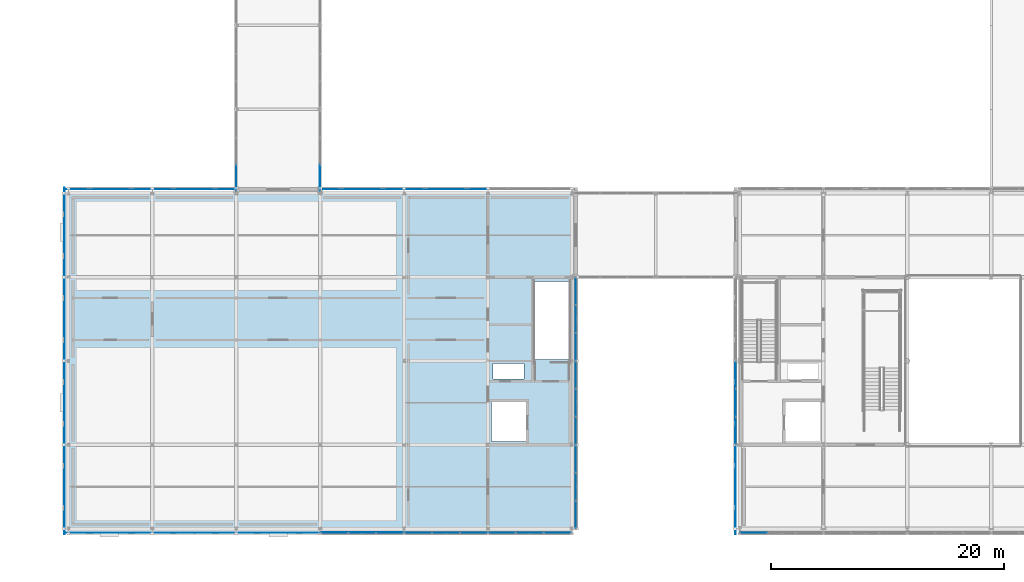
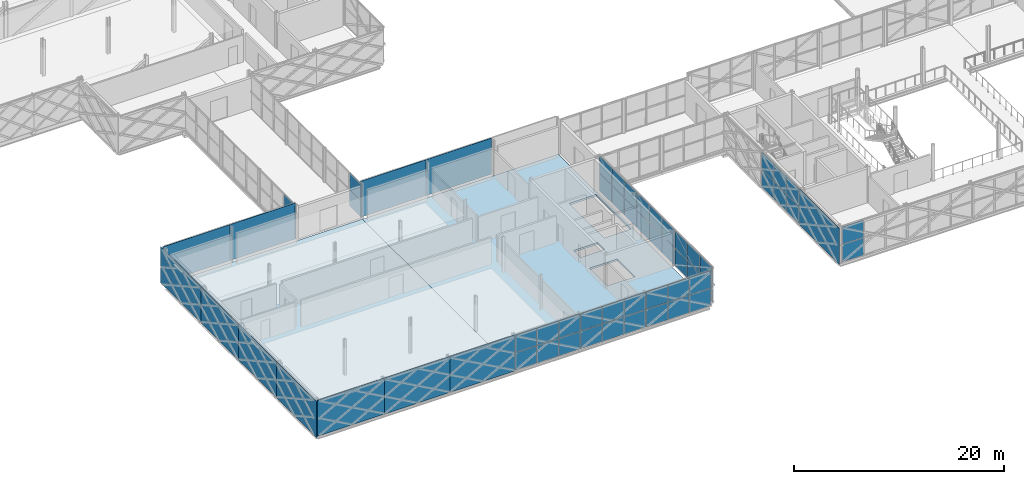
# One storey, part 74 of 126: 60 plates, 2 slabs, 10 elements without a shape of their own.
"""IFC4 building model written with IfcOpenShell, lengths in metres."""

from ifc_helpers import new_model, si_unit, direction, frame, origin, origin_2d, place, context, subcontext, project, spatial, polyline, rectangle, outline, extrude, material, layer, layer_set, type_object, element, aggregate, save


model = new_model("IFC4")

# Units and contexts
model_context = context("Model", 3, precision=1e-05, world=origin(), true_north=direction((0.0, 1.0)))
body_context = subcontext(model_context, "Body", "Model", "MODEL_VIEW")
ifc_project = project(units=[si_unit("LENGTHUNIT", "METRE"), si_unit("AREAUNIT", "SQUARE_METRE"), si_unit("VOLUMEUNIT", "CUBIC_METRE"), si_unit("PLANEANGLEUNIT", "RADIAN"), si_unit("MASSUNIT", "GRAM", prefix="KILO")], contexts=[model_context])

# Site, building, storey
site_placement = place(None, origin())
site = spatial("IfcSite", under=ifc_project, at=site_placement, CompositionType="ELEMENT")
building_placement = place(site_placement, origin())
building = spatial("IfcBuilding", under=site, at=building_placement, Name="Zlatovets Crest Museum", CompositionType="ELEMENT")
storey_placement = place(building_placement, frame((0.0, 0.0, 8.699951171875)))
storey = spatial("IfcBuildingStorey", under=building, at=storey_placement, Name="L02", CompositionType="ELEMENT", Elevation=8.699951171875)

# Curtain wall, plates
ifc_material_1 = material(Name="Bronze-anodised aluminium and low-E triple glass", Category="aluminium")
curtain_wall_type_1 = type_object("IfcCurtainWallType", Name="CW_CW-BR2-L02-S69", PredefinedType="NOTDEFINED", material=ifc_material_1)
curtain_wall_1_placement = place(storey_placement, origin())
curtain_wall_1 = element("IfcCurtainWall", 1, at=curtain_wall_1_placement, inside=storey, type_object=curtain_wall_type_1, Name="West Hillside Glazed Link Bridge L02 Glazed Bridge Curtain Wall", PredefinedType="NOTDEFINED")
ifc_material_2 = material(Name="Solar-control low-E laminated triple glass", Category="glass")
ifc_layer_1 = layer(ifc_material_2, 0.030029296875)
ifc_layer_set_1 = layer_set([ifc_layer_1], Name="Solar-control low-E laminated triple glass")
plate_type_1 = type_object("IfcPlateType", Name="CWPanel_CW-BR2-L02-S69", PredefinedType="CURTAIN_PANEL", material=ifc_layer_set_1)
plate_1_placement = place(storey_placement, frame((14.39990234375, 30.114990234375, 0.06005859375), z_axis=(0.0, 0.0, 1.0), x_axis=(0.0, 1.0, 0.0)))
plate_1 = element("IfcPlate", 2, at=plate_1_placement, type_object=plate_type_1, Name="CW-BR2-L02-S69 panel 1.1", PredefinedType="CURTAIN_PANEL", context=body_context, shape_type="SweptSolid", body=[
    extrude(rectangle(XDim=2.2099609375, YDim=0.030029296875, at=origin_2d()), origin(), (0.0, 0.0, 1.0), 1.89990234375),
])
plate_2_placement = place(storey_placement, frame((14.39990234375, 30.114990234375, 2.02001953125), z_axis=(0.0, 0.0, 1.0), x_axis=(0.0, 1.0, 0.0)))
plate_2 = element("IfcPlate", 3, at=plate_2_placement, type_object=plate_type_1, Name="CW-BR2-L02-S69 panel 1.2", PredefinedType="CURTAIN_PANEL", context=body_context, shape_type="SweptSolid", body=[
    extrude(rectangle(XDim=2.2099609375, YDim=0.030029296875, at=origin_2d()), origin(), (0.0, 0.0, 1.0), 1.89990234375),
])
aggregate(curtain_wall_1, [plate_1, plate_2])

curtain_wall_2_placement = place(storey_placement, origin())
curtain_wall_2 = element("IfcCurtainWall", 4, at=curtain_wall_2_placement, inside=storey, type_object=curtain_wall_type_1, Name="West Hillside Glazed Link Bridge L02 Glazed Bridge Curtain Wall", PredefinedType="NOTDEFINED")
plate_3_placement = place(storey_placement, frame((21.60009765625, 30.114990234375, 0.06005859375), z_axis=(0.0, 0.0, 1.0), x_axis=(0.0, 1.0, 0.0)))
plate_3 = element("IfcPlate", 5, at=plate_3_placement, type_object=plate_type_1, Name="CW-BR2-L02-S69 panel 1.1", PredefinedType="CURTAIN_PANEL", context=body_context, shape_type="SweptSolid", body=[
    extrude(rectangle(XDim=2.2099609375, YDim=0.030029296875, at=origin_2d()), origin(), (0.0, 0.0, 1.0), 1.89990234375),
])
plate_4_placement = place(storey_placement, frame((21.60009765625, 30.114990234375, 2.02001953125), z_axis=(0.0, 0.0, 1.0), x_axis=(0.0, 1.0, 0.0)))
plate_4 = element("IfcPlate", 6, at=plate_4_placement, type_object=plate_type_1, Name="CW-BR2-L02-S69 panel 1.2", PredefinedType="CURTAIN_PANEL", context=body_context, shape_type="SweptSolid", body=[
    extrude(rectangle(XDim=2.2099609375, YDim=0.030029296875, at=origin_2d()), origin(), (0.0, 0.0, 1.0), 1.89990234375),
])
aggregate(curtain_wall_2, [plate_3, plate_4])

curtain_wall_type_2 = type_object("IfcCurtainWallType", Name="CW_CW-V2-L02-M0", PredefinedType="NOTDEFINED", material=ifc_material_1)
curtain_wall_3_placement = place(storey_placement, origin())
curtain_wall_3 = element("IfcCurtainWall", 7, at=curtain_wall_3_placement, inside=storey, type_object=curtain_wall_type_2, Name="V2 L02 Secession Foyer Clear Curtain Wall", PredefinedType="NOTDEFINED")
ifc_layer_2 = layer(ifc_material_2, 0.028076171875)
ifc_layer_set_2 = layer_set([ifc_layer_2], Name="Solar-control low-E laminated triple glass")
plate_type_2 = type_object("IfcPlateType", Name="CWPanel_CW-V2-L02-M0", PredefinedType="CURTAIN_PANEL", material=ifc_layer_set_2)
plate_5_placement = place(storey_placement, frame((58.81494140625, -0.340087890625, 0.06005859375), z_axis=(0.0, 0.0, 1.0), x_axis=(1.0, 0.0, 0.0)))
plate_5 = element("IfcPlate", 8, at=plate_5_placement, type_object=plate_type_2, Name="CW-V2-L02-M0 panel 1.1", PredefinedType="CURTAIN_PANEL", context=body_context, shape_type="SweptSolid", body=[
    extrude(rectangle(XDim=2.31005859375, YDim=0.028076171875, at=origin_2d()), origin(), (0.0, 0.0, 1.0), 2.010009765625),
])
plate_6_placement = place(storey_placement, frame((58.81494140625, -0.340087890625, 2.1298828125), z_axis=(0.0, 0.0, 1.0), x_axis=(1.0, 0.0, 0.0)))
plate_6 = element("IfcPlate", 9, at=plate_6_placement, type_object=plate_type_2, Name="CW-V2-L02-M0 panel 1.2", PredefinedType="CURTAIN_PANEL", context=body_context, shape_type="SweptSolid", body=[
    extrude(rectangle(XDim=2.31005859375, YDim=0.028076171875, at=origin_2d()), origin(), (0.0, 0.0, 1.0), 2.010009765625),
])
aggregate(curtain_wall_3, [plate_5, plate_6])

curtain_wall_4_placement = place(storey_placement, origin())
curtain_wall_4 = element("IfcCurtainWall", 10, at=curtain_wall_4_placement, inside=storey, type_object=curtain_wall_type_2, Name="V2 L02 Expressed Core Glazed Facade", PredefinedType="NOTDEFINED")
plate_7_placement = place(storey_placement, frame((57.260009765625, 13.18505859375, 0.06005859375), z_axis=(0.0, 0.0, 1.0), x_axis=(0.0, -1.0, 0.0)))
plate_7 = element("IfcPlate", 11, at=plate_7_placement, type_object=plate_type_2, Name="CW-V2-L02-M0 panel 1.1", PredefinedType="CURTAIN_PANEL", context=body_context, shape_type="SweptSolid", body=[
    extrude(rectangle(XDim=2.31005859375, YDim=0.030029296875, at=origin_2d()), origin(), (0.0, 0.0, 1.0), 2.010009765625),
])
plate_8_placement = place(storey_placement, frame((57.260009765625, 13.18505859375, 2.1298828125), z_axis=(0.0, 0.0, 1.0), x_axis=(0.0, -1.0, 0.0)))
plate_8 = element("IfcPlate", 12, at=plate_8_placement, type_object=plate_type_2, Name="CW-V2-L02-M0 panel 1.2", PredefinedType="CURTAIN_PANEL", context=body_context, shape_type="SweptSolid", body=[
    extrude(rectangle(XDim=2.31005859375, YDim=0.030029296875, at=origin_2d()), origin(), (0.0, 0.0, 1.0), 2.010009765625),
])
plate_9_placement = place(storey_placement, frame((57.260009765625, 10.800048828125, 0.06005859375), z_axis=(0.0, 0.0, 1.0), x_axis=(0.0, -1.0, 0.0)))
plate_9 = element("IfcPlate", 13, at=plate_9_placement, type_object=plate_type_2, Name="CW-V2-L02-M0 panel 2.1", PredefinedType="CURTAIN_PANEL", context=body_context, shape_type="SweptSolid", body=[
    extrude(rectangle(XDim=2.340087890625, YDim=0.030029296875, at=origin_2d()), origin(), (0.0, 0.0, 1.0), 2.010009765625),
])
plate_10_placement = place(storey_placement, frame((57.260009765625, 10.800048828125, 2.1298828125), z_axis=(0.0, 0.0, 1.0), x_axis=(0.0, -1.0, 0.0)))
plate_10 = element("IfcPlate", 14, at=plate_10_placement, type_object=plate_type_2, Name="CW-V2-L02-M0 panel 2.2", PredefinedType="CURTAIN_PANEL", context=body_context, shape_type="SweptSolid", body=[
    extrude(rectangle(XDim=2.340087890625, YDim=0.030029296875, at=origin_2d()), origin(), (0.0, 0.0, 1.0), 2.010009765625),
])
plate_11_placement = place(storey_placement, frame((57.260009765625, 8.4150390625, 0.06005859375), z_axis=(0.0, 0.0, 1.0), x_axis=(0.0, -1.0, 0.0)))
plate_11 = element("IfcPlate", 15, at=plate_11_placement, type_object=plate_type_2, Name="CW-V2-L02-M0 panel 3.1", PredefinedType="CURTAIN_PANEL", context=body_context, shape_type="SweptSolid", body=[
    extrude(rectangle(XDim=2.31005859375, YDim=0.030029296875, at=origin_2d()), origin(), (0.0, 0.0, 1.0), 2.010009765625),
])
plate_12_placement = place(storey_placement, frame((57.260009765625, 8.4150390625, 2.1298828125), z_axis=(0.0, 0.0, 1.0), x_axis=(0.0, -1.0, 0.0)))
plate_12 = element("IfcPlate", 16, at=plate_12_placement, type_object=plate_type_2, Name="CW-V2-L02-M0 panel 3.2", PredefinedType="CURTAIN_PANEL", context=body_context, shape_type="SweptSolid", body=[
    extrude(rectangle(XDim=2.31005859375, YDim=0.030029296875, at=origin_2d()), origin(), (0.0, 0.0, 1.0), 2.010009765625),
])
aggregate(curtain_wall_4, [plate_7, plate_8, plate_9, plate_10, plate_11, plate_12])

curtain_wall_type_3 = type_object("IfcCurtainWallType", Name="CW_CW-V3-L02-M0", PredefinedType="NOTDEFINED", material=ifc_material_1)
curtain_wall_5_placement = place(storey_placement, origin())
curtain_wall_5 = element("IfcCurtainWall", 17, at=curtain_wall_5_placement, inside=storey, type_object=curtain_wall_type_3, Name="V3 L02 Secession Foyer Clear Curtain Wall", PredefinedType="NOTDEFINED")
ifc_layer_3 = layer(ifc_material_2, 0.028076171875)
ifc_layer_set_3 = layer_set([ifc_layer_3], Name="Solar-control low-E laminated triple glass")
plate_type_3 = type_object("IfcPlateType", Name="CWPanel_CW-V3-L02-M0", PredefinedType="CURTAIN_PANEL", material=ifc_layer_set_3)
plate_13_placement = place(storey_placement, frame((30.014892578125, -0.340087890625, 0.06005859375), z_axis=(0.0, 0.0, 1.0), x_axis=(1.0, 0.0, 0.0)))
plate_13 = element("IfcPlate", 18, at=plate_13_placement, type_object=plate_type_3, Name="CW-V3-L02-M0 panel 1.1", PredefinedType="CURTAIN_PANEL", context=body_context, shape_type="SweptSolid", body=[
    extrude(rectangle(XDim=2.31005859375, YDim=0.028076171875, at=origin_2d()), origin(), (0.0, 0.0, 1.0), 2.010009765625),
])
plate_14_placement = place(storey_placement, frame((30.014892578125, -0.340087890625, 2.1298828125), z_axis=(0.0, 0.0, 1.0), x_axis=(1.0, 0.0, 0.0)))
plate_14 = element("IfcPlate", 19, at=plate_14_placement, type_object=plate_type_3, Name="CW-V3-L02-M0 panel 1.2", PredefinedType="CURTAIN_PANEL", context=body_context, shape_type="SweptSolid", body=[
    extrude(rectangle(XDim=2.31005859375, YDim=0.028076171875, at=origin_2d()), origin(), (0.0, 0.0, 1.0), 2.010009765625),
])
plate_15_placement = place(storey_placement, frame((32.39990234375, -0.340087890625, 0.06005859375), z_axis=(0.0, 0.0, 1.0), x_axis=(1.0, 0.0, 0.0)))
plate_15 = element("IfcPlate", 20, at=plate_15_placement, type_object=plate_type_3, Name="CW-V3-L02-M0 panel 2.1", PredefinedType="CURTAIN_PANEL", context=body_context, shape_type="SweptSolid", body=[
    extrude(rectangle(XDim=2.340087890625, YDim=0.028076171875, at=origin_2d()), origin(), (0.0, 0.0, 1.0), 2.010009765625),
])
plate_16_placement = place(storey_placement, frame((32.39990234375, -0.340087890625, 2.1298828125), z_axis=(0.0, 0.0, 1.0), x_axis=(1.0, 0.0, 0.0)))
plate_16 = element("IfcPlate", 21, at=plate_16_placement, type_object=plate_type_3, Name="CW-V3-L02-M0 panel 2.2", PredefinedType="CURTAIN_PANEL", context=body_context, shape_type="SweptSolid", body=[
    extrude(rectangle(XDim=2.340087890625, YDim=0.028076171875, at=origin_2d()), origin(), (0.0, 0.0, 1.0), 2.010009765625),
])
plate_17_placement = place(storey_placement, frame((34.784912109375, -0.340087890625, 0.06005859375), z_axis=(0.0, 0.0, 1.0), x_axis=(1.0, 0.0, 0.0)))
plate_17 = element("IfcPlate", 22, at=plate_17_placement, type_object=plate_type_3, Name="CW-V3-L02-M0 panel 3.1", PredefinedType="CURTAIN_PANEL", context=body_context, shape_type="SweptSolid", body=[
    extrude(rectangle(XDim=2.31005859375, YDim=0.028076171875, at=origin_2d()), origin(), (0.0, 0.0, 1.0), 2.010009765625),
])
plate_18_placement = place(storey_placement, frame((34.784912109375, -0.340087890625, 2.1298828125), z_axis=(0.0, 0.0, 1.0), x_axis=(1.0, 0.0, 0.0)))
plate_18 = element("IfcPlate", 23, at=plate_18_placement, type_object=plate_type_3, Name="CW-V3-L02-M0 panel 3.2", PredefinedType="CURTAIN_PANEL", context=body_context, shape_type="SweptSolid", body=[
    extrude(rectangle(XDim=2.31005859375, YDim=0.028076171875, at=origin_2d()), origin(), (0.0, 0.0, 1.0), 2.010009765625),
])
aggregate(curtain_wall_5, [plate_13, plate_14, plate_15, plate_16, plate_17, plate_18])

curtain_wall_6_placement = place(storey_placement, origin())
curtain_wall_6 = element("IfcCurtainWall", 24, at=curtain_wall_6_placement, inside=storey, type_object=curtain_wall_type_3, Name="V3 L02 Expressed Core Glazed Facade", PredefinedType="NOTDEFINED")
plate_19_placement = place(storey_placement, frame((43.5400390625, 15.614990234375, 0.06005859375), z_axis=(0.0, 0.0, 1.0), x_axis=(0.0, 1.0, 0.0)))
plate_19 = element("IfcPlate", 25, at=plate_19_placement, type_object=plate_type_3, Name="CW-V3-L02-M0 panel 1.1", PredefinedType="CURTAIN_PANEL", context=body_context, shape_type="SweptSolid", body=[
    extrude(rectangle(XDim=2.31005859375, YDim=0.030029296875, at=origin_2d()), origin(), (0.0, 0.0, 1.0), 2.010009765625),
])
plate_20_placement = place(storey_placement, frame((43.5400390625, 15.614990234375, 2.1298828125), z_axis=(0.0, 0.0, 1.0), x_axis=(0.0, 1.0, 0.0)))
plate_20 = element("IfcPlate", 26, at=plate_20_placement, type_object=plate_type_3, Name="CW-V3-L02-M0 panel 1.2", PredefinedType="CURTAIN_PANEL", context=body_context, shape_type="SweptSolid", body=[
    extrude(rectangle(XDim=2.31005859375, YDim=0.030029296875, at=origin_2d()), origin(), (0.0, 0.0, 1.0), 2.010009765625),
])
plate_21_placement = place(storey_placement, frame((43.5400390625, 18.0, 0.06005859375), z_axis=(0.0, 0.0, 1.0), x_axis=(0.0, 1.0, 0.0)))
plate_21 = element("IfcPlate", 27, at=plate_21_placement, type_object=plate_type_3, Name="CW-V3-L02-M0 panel 2.1", PredefinedType="CURTAIN_PANEL", context=body_context, shape_type="SweptSolid", body=[
    extrude(rectangle(XDim=2.340087890625, YDim=0.030029296875, at=origin_2d()), origin(), (0.0, 0.0, 1.0), 2.010009765625),
])
plate_22_placement = place(storey_placement, frame((43.5400390625, 18.0, 2.1298828125), z_axis=(0.0, 0.0, 1.0), x_axis=(0.0, 1.0, 0.0)))
plate_22 = element("IfcPlate", 28, at=plate_22_placement, type_object=plate_type_3, Name="CW-V3-L02-M0 panel 2.2", PredefinedType="CURTAIN_PANEL", context=body_context, shape_type="SweptSolid", body=[
    extrude(rectangle(XDim=2.340087890625, YDim=0.030029296875, at=origin_2d()), origin(), (0.0, 0.0, 1.0), 2.010009765625),
])
plate_23_placement = place(storey_placement, frame((43.5400390625, 20.385009765625, 0.06005859375), z_axis=(0.0, 0.0, 1.0), x_axis=(0.0, 1.0, 0.0)))
plate_23 = element("IfcPlate", 29, at=plate_23_placement, type_object=plate_type_3, Name="CW-V3-L02-M0 panel 3.1", PredefinedType="CURTAIN_PANEL", context=body_context, shape_type="SweptSolid", body=[
    extrude(rectangle(XDim=2.31005859375, YDim=0.030029296875, at=origin_2d()), origin(), (0.0, 0.0, 1.0), 2.010009765625),
])
plate_24_placement = place(storey_placement, frame((43.5400390625, 20.385009765625, 2.1298828125), z_axis=(0.0, 0.0, 1.0), x_axis=(0.0, 1.0, 0.0)))
plate_24 = element("IfcPlate", 30, at=plate_24_placement, type_object=plate_type_3, Name="CW-V3-L02-M0 panel 3.2", PredefinedType="CURTAIN_PANEL", context=body_context, shape_type="SweptSolid", body=[
    extrude(rectangle(XDim=2.31005859375, YDim=0.030029296875, at=origin_2d()), origin(), (0.0, 0.0, 1.0), 2.010009765625),
])
aggregate(curtain_wall_6, [plate_19, plate_20, plate_21, plate_22, plate_23, plate_24])

curtain_wall_type_4 = type_object("IfcCurtainWallType", Name="CW_CW-V3-L02-M1", PredefinedType="NOTDEFINED", material=ifc_material_1)
curtain_wall_7_placement = place(storey_placement, origin())
curtain_wall_7 = element("IfcCurtainWall", 31, at=curtain_wall_7_placement, inside=storey, type_object=curtain_wall_type_4, Name="V3 L02 Secession Foyer Clear Curtain Wall", PredefinedType="NOTDEFINED")
ifc_layer_4 = layer(ifc_material_2, 0.031982421875)
ifc_layer_set_4 = layer_set([ifc_layer_4], Name="Solar-control low-E laminated triple glass")
plate_type_4 = type_object("IfcPlateType", Name="CWPanel_CW-V3-L02-M1", PredefinedType="CURTAIN_PANEL", material=ifc_layer_set_4)
plate_25_placement = place(storey_placement, frame((37.215087890625, -0.340087890625, 0.06005859375), z_axis=(0.0, 0.0, 1.0), x_axis=(1.0, 0.0, 0.0)))
plate_25 = element("IfcPlate", 32, at=plate_25_placement, type_object=plate_type_4, Name="CW-V3-L02-M1 panel 1.1", PredefinedType="CURTAIN_PANEL", context=body_context, shape_type="SweptSolid", body=[
    extrude(rectangle(XDim=2.31005859375, YDim=0.031982421875, at=origin_2d()), origin(), (0.0, 0.0, 1.0), 2.010009765625),
])
plate_26_placement = place(storey_placement, frame((37.215087890625, -0.340087890625, 2.1298828125), z_axis=(0.0, 0.0, 1.0), x_axis=(1.0, 0.0, 0.0)))
plate_26 = element("IfcPlate", 33, at=plate_26_placement, type_object=plate_type_4, Name="CW-V3-L02-M1 panel 1.2", PredefinedType="CURTAIN_PANEL", context=body_context, shape_type="SweptSolid", body=[
    extrude(rectangle(XDim=2.31005859375, YDim=0.031982421875, at=origin_2d()), origin(), (0.0, 0.0, 1.0), 2.010009765625),
])
plate_27_placement = place(storey_placement, frame((39.60009765625, -0.340087890625, 0.06005859375), z_axis=(0.0, 0.0, 1.0), x_axis=(1.0, 0.0, 0.0)))
plate_27 = element("IfcPlate", 34, at=plate_27_placement, type_object=plate_type_4, Name="CW-V3-L02-M1 panel 2.1", PredefinedType="CURTAIN_PANEL", context=body_context, shape_type="SweptSolid", body=[
    extrude(rectangle(XDim=2.340087890625, YDim=0.031982421875, at=origin_2d()), origin(), (0.0, 0.0, 1.0), 2.010009765625),
])
plate_28_placement = place(storey_placement, frame((39.60009765625, -0.340087890625, 2.1298828125), z_axis=(0.0, 0.0, 1.0), x_axis=(1.0, 0.0, 0.0)))
plate_28 = element("IfcPlate", 35, at=plate_28_placement, type_object=plate_type_4, Name="CW-V3-L02-M1 panel 2.2", PredefinedType="CURTAIN_PANEL", context=body_context, shape_type="SweptSolid", body=[
    extrude(rectangle(XDim=2.340087890625, YDim=0.031982421875, at=origin_2d()), origin(), (0.0, 0.0, 1.0), 2.010009765625),
])
plate_29_placement = place(storey_placement, frame((41.985107421875, -0.340087890625, 0.06005859375), z_axis=(0.0, 0.0, 1.0), x_axis=(1.0, 0.0, 0.0)))
plate_29 = element("IfcPlate", 36, at=plate_29_placement, type_object=plate_type_4, Name="CW-V3-L02-M1 panel 3.1", PredefinedType="CURTAIN_PANEL", context=body_context, shape_type="SweptSolid", body=[
    extrude(rectangle(XDim=2.31005859375, YDim=0.031982421875, at=origin_2d()), origin(), (0.0, 0.0, 1.0), 2.010009765625),
])
plate_30_placement = place(storey_placement, frame((41.985107421875, -0.340087890625, 2.1298828125), z_axis=(0.0, 0.0, 1.0), x_axis=(1.0, 0.0, 0.0)))
plate_30 = element("IfcPlate", 37, at=plate_30_placement, type_object=plate_type_4, Name="CW-V3-L02-M1 panel 3.2", PredefinedType="CURTAIN_PANEL", context=body_context, shape_type="SweptSolid", body=[
    extrude(rectangle(XDim=2.31005859375, YDim=0.031982421875, at=origin_2d()), origin(), (0.0, 0.0, 1.0), 2.010009765625),
])
aggregate(curtain_wall_7, [plate_25, plate_26, plate_27, plate_28, plate_29, plate_30])

curtain_wall_type_5 = type_object("IfcCurtainWallType", Name="CW_CW-V3-L02-M2", PredefinedType="NOTDEFINED", material=ifc_material_1)
curtain_wall_8_placement = place(storey_placement, origin())
curtain_wall_8 = element("IfcCurtainWall", 38, at=curtain_wall_8_placement, inside=storey, type_object=curtain_wall_type_5, Name="V3 L02 Secession Foyer Clear Curtain Wall", PredefinedType="NOTDEFINED")
ifc_layer_5 = layer(ifc_material_2, 0.035888671875)
ifc_layer_set_5 = layer_set([ifc_layer_5], Name="Solar-control low-E laminated triple glass")
plate_type_5 = type_object("IfcPlateType", Name="CWPanel_CW-V3-L02-M2", PredefinedType="CURTAIN_PANEL", material=ifc_layer_set_5)
plate_31_placement = place(storey_placement, frame((43.5400390625, 1.215087890625, 0.06005859375), z_axis=(0.0, 0.0, 1.0), x_axis=(0.0, 1.0, 0.0)))
plate_31 = element("IfcPlate", 39, at=plate_31_placement, type_object=plate_type_5, Name="CW-V3-L02-M2 panel 1.1", PredefinedType="CURTAIN_PANEL", context=body_context, shape_type="SweptSolid", body=[
    extrude(rectangle(XDim=2.31005859375, YDim=0.035888671875, at=origin_2d()), origin(), (0.0, 0.0, 1.0), 2.010009765625),
])
plate_32_placement = place(storey_placement, frame((43.5400390625, 1.215087890625, 2.1298828125), z_axis=(0.0, 0.0, 1.0), x_axis=(0.0, 1.0, 0.0)))
plate_32 = element("IfcPlate", 40, at=plate_32_placement, type_object=plate_type_5, Name="CW-V3-L02-M2 panel 1.2", PredefinedType="CURTAIN_PANEL", context=body_context, shape_type="SweptSolid", body=[
    extrude(rectangle(XDim=2.31005859375, YDim=0.035888671875, at=origin_2d()), origin(), (0.0, 0.0, 1.0), 2.010009765625),
])
plate_33_placement = place(storey_placement, frame((43.5400390625, 3.60009765625, 0.06005859375), z_axis=(0.0, 0.0, 1.0), x_axis=(0.0, 1.0, 0.0)))
plate_33 = element("IfcPlate", 41, at=plate_33_placement, type_object=plate_type_5, Name="CW-V3-L02-M2 panel 2.1", PredefinedType="CURTAIN_PANEL", context=body_context, shape_type="SweptSolid", body=[
    extrude(rectangle(XDim=2.340087890625, YDim=0.035888671875, at=origin_2d()), origin(), (0.0, 0.0, 1.0), 2.010009765625),
])
plate_34_placement = place(storey_placement, frame((43.5400390625, 3.60009765625, 2.1298828125), z_axis=(0.0, 0.0, 1.0), x_axis=(0.0, 1.0, 0.0)))
plate_34 = element("IfcPlate", 42, at=plate_34_placement, type_object=plate_type_5, Name="CW-V3-L02-M2 panel 2.2", PredefinedType="CURTAIN_PANEL", context=body_context, shape_type="SweptSolid", body=[
    extrude(rectangle(XDim=2.340087890625, YDim=0.035888671875, at=origin_2d()), origin(), (0.0, 0.0, 1.0), 2.010009765625),
])
plate_35_placement = place(storey_placement, frame((43.5400390625, 5.985107421875, 0.06005859375), z_axis=(0.0, 0.0, 1.0), x_axis=(0.0, 1.0, 0.0)))
plate_35 = element("IfcPlate", 43, at=plate_35_placement, type_object=plate_type_5, Name="CW-V3-L02-M2 panel 3.1", PredefinedType="CURTAIN_PANEL", context=body_context, shape_type="SweptSolid", body=[
    extrude(rectangle(XDim=2.31005859375, YDim=0.035888671875, at=origin_2d()), origin(), (0.0, 0.0, 1.0), 2.010009765625),
])
plate_36_placement = place(storey_placement, frame((43.5400390625, 5.985107421875, 2.1298828125), z_axis=(0.0, 0.0, 1.0), x_axis=(0.0, 1.0, 0.0)))
plate_36 = element("IfcPlate", 44, at=plate_36_placement, type_object=plate_type_5, Name="CW-V3-L02-M2 panel 3.2", PredefinedType="CURTAIN_PANEL", context=body_context, shape_type="SweptSolid", body=[
    extrude(rectangle(XDim=2.31005859375, YDim=0.035888671875, at=origin_2d()), origin(), (0.0, 0.0, 1.0), 2.010009765625),
])
aggregate(curtain_wall_8, [plate_31, plate_32, plate_33, plate_34, plate_35, plate_36])

curtain_wall_type_6 = type_object("IfcCurtainWallType", Name="CW_CW-V3-L02-M3", PredefinedType="NOTDEFINED", material=ifc_material_1)
curtain_wall_9_placement = place(storey_placement, origin())
curtain_wall_9 = element("IfcCurtainWall", 45, at=curtain_wall_9_placement, inside=storey, type_object=curtain_wall_type_6, Name="V3 L02 Secession Foyer Clear Curtain Wall", PredefinedType="NOTDEFINED")
ifc_layer_6 = layer(ifc_material_2, 0.0400390625)
ifc_layer_set_6 = layer_set([ifc_layer_6], Name="Solar-control low-E laminated triple glass")
plate_type_6 = type_object("IfcPlateType", Name="CWPanel_CW-V3-L02-M3", PredefinedType="CURTAIN_PANEL", material=ifc_layer_set_6)
plate_37_placement = place(storey_placement, frame((22.81494140625, -0.340087890625, 0.06005859375), z_axis=(0.0, 0.0, 1.0), x_axis=(1.0, 0.0, 0.0)))
plate_37 = element("IfcPlate", 46, at=plate_37_placement, type_object=plate_type_6, Name="CW-V3-L02-M3 panel 1.1", PredefinedType="CURTAIN_PANEL", context=body_context, shape_type="SweptSolid", body=[
    extrude(rectangle(XDim=2.31005859375, YDim=0.0400390625, at=origin_2d()), origin(), (0.0, 0.0, 1.0), 2.010009765625),
])
plate_38_placement = place(storey_placement, frame((22.81494140625, -0.340087890625, 2.1298828125), z_axis=(0.0, 0.0, 1.0), x_axis=(1.0, 0.0, 0.0)))
plate_38 = element("IfcPlate", 47, at=plate_38_placement, type_object=plate_type_6, Name="CW-V3-L02-M3 panel 1.2", PredefinedType="CURTAIN_PANEL", context=body_context, shape_type="SweptSolid", body=[
    extrude(rectangle(XDim=2.31005859375, YDim=0.0400390625, at=origin_2d()), origin(), (0.0, 0.0, 1.0), 2.010009765625),
])
plate_39_placement = place(storey_placement, frame((25.199951171875, -0.340087890625, 0.06005859375), z_axis=(0.0, 0.0, 1.0), x_axis=(1.0, 0.0, 0.0)))
plate_39 = element("IfcPlate", 48, at=plate_39_placement, type_object=plate_type_6, Name="CW-V3-L02-M3 panel 2.1", PredefinedType="CURTAIN_PANEL", context=body_context, shape_type="SweptSolid", body=[
    extrude(rectangle(XDim=2.340087890625, YDim=0.0400390625, at=origin_2d()), origin(), (0.0, 0.0, 1.0), 2.010009765625),
])
plate_40_placement = place(storey_placement, frame((25.199951171875, -0.340087890625, 2.1298828125), z_axis=(0.0, 0.0, 1.0), x_axis=(1.0, 0.0, 0.0)))
plate_40 = element("IfcPlate", 49, at=plate_40_placement, type_object=plate_type_6, Name="CW-V3-L02-M3 panel 2.2", PredefinedType="CURTAIN_PANEL", context=body_context, shape_type="SweptSolid", body=[
    extrude(rectangle(XDim=2.340087890625, YDim=0.0400390625, at=origin_2d()), origin(), (0.0, 0.0, 1.0), 2.010009765625),
])
plate_41_placement = place(storey_placement, frame((27.5849609375, -0.340087890625, 0.06005859375), z_axis=(0.0, 0.0, 1.0), x_axis=(1.0, 0.0, 0.0)))
plate_41 = element("IfcPlate", 50, at=plate_41_placement, type_object=plate_type_6, Name="CW-V3-L02-M3 panel 3.1", PredefinedType="CURTAIN_PANEL", context=body_context, shape_type="SweptSolid", body=[
    extrude(rectangle(XDim=2.31005859375, YDim=0.0400390625, at=origin_2d()), origin(), (0.0, 0.0, 1.0), 2.010009765625),
])
plate_42_placement = place(storey_placement, frame((27.5849609375, -0.340087890625, 2.1298828125), z_axis=(0.0, 0.0, 1.0), x_axis=(1.0, 0.0, 0.0)))
plate_42 = element("IfcPlate", 51, at=plate_42_placement, type_object=plate_type_6, Name="CW-V3-L02-M3 panel 3.2", PredefinedType="CURTAIN_PANEL", context=body_context, shape_type="SweptSolid", body=[
    extrude(rectangle(XDim=2.31005859375, YDim=0.0400390625, at=origin_2d()), origin(), (0.0, 0.0, 1.0), 2.010009765625),
])
aggregate(curtain_wall_9, [plate_37, plate_38, plate_39, plate_40, plate_41, plate_42])

curtain_wall_10_placement = place(storey_placement, origin())
curtain_wall_10 = element("IfcCurtainWall", 52, at=curtain_wall_10_placement, inside=storey, type_object=curtain_wall_type_6, Name="V3 L02 Expressed Core Glazed Facade", PredefinedType="NOTDEFINED")
plate_43_placement = place(storey_placement, frame((43.5400390625, 8.4150390625, 0.06005859375), z_axis=(0.0, 0.0, 1.0), x_axis=(0.0, 1.0, 0.0)))
plate_43 = element("IfcPlate", 53, at=plate_43_placement, type_object=plate_type_6, Name="CW-V3-L02-M3 panel 1.1", PredefinedType="CURTAIN_PANEL", context=body_context, shape_type="SweptSolid", body=[
    extrude(rectangle(XDim=2.31005859375, YDim=0.030029296875, at=origin_2d()), origin(), (0.0, 0.0, 1.0), 2.010009765625),
])
plate_44_placement = place(storey_placement, frame((43.5400390625, 8.4150390625, 2.1298828125), z_axis=(0.0, 0.0, 1.0), x_axis=(0.0, 1.0, 0.0)))
plate_44 = element("IfcPlate", 54, at=plate_44_placement, type_object=plate_type_6, Name="CW-V3-L02-M3 panel 1.2", PredefinedType="CURTAIN_PANEL", context=body_context, shape_type="SweptSolid", body=[
    extrude(rectangle(XDim=2.31005859375, YDim=0.030029296875, at=origin_2d()), origin(), (0.0, 0.0, 1.0), 2.010009765625),
])
plate_45_placement = place(storey_placement, frame((43.5400390625, 10.800048828125, 0.06005859375), z_axis=(0.0, 0.0, 1.0), x_axis=(0.0, 1.0, 0.0)))
plate_45 = element("IfcPlate", 55, at=plate_45_placement, type_object=plate_type_6, Name="CW-V3-L02-M3 panel 2.1", PredefinedType="CURTAIN_PANEL", context=body_context, shape_type="SweptSolid", body=[
    extrude(rectangle(XDim=2.340087890625, YDim=0.030029296875, at=origin_2d()), origin(), (0.0, 0.0, 1.0), 2.010009765625),
])
plate_46_placement = place(storey_placement, frame((43.5400390625, 10.800048828125, 2.1298828125), z_axis=(0.0, 0.0, 1.0), x_axis=(0.0, 1.0, 0.0)))
plate_46 = element("IfcPlate", 56, at=plate_46_placement, type_object=plate_type_6, Name="CW-V3-L02-M3 panel 2.2", PredefinedType="CURTAIN_PANEL", context=body_context, shape_type="SweptSolid", body=[
    extrude(rectangle(XDim=2.340087890625, YDim=0.030029296875, at=origin_2d()), origin(), (0.0, 0.0, 1.0), 2.010009765625),
])
plate_47_placement = place(storey_placement, frame((43.5400390625, 13.18505859375, 0.06005859375), z_axis=(0.0, 0.0, 1.0), x_axis=(0.0, 1.0, 0.0)))
plate_47 = element("IfcPlate", 57, at=plate_47_placement, type_object=plate_type_6, Name="CW-V3-L02-M3 panel 3.1", PredefinedType="CURTAIN_PANEL", context=body_context, shape_type="SweptSolid", body=[
    extrude(rectangle(XDim=2.31005859375, YDim=0.030029296875, at=origin_2d()), origin(), (0.0, 0.0, 1.0), 2.010009765625),
])
plate_48_placement = place(storey_placement, frame((43.5400390625, 13.18505859375, 2.1298828125), z_axis=(0.0, 0.0, 1.0), x_axis=(0.0, 1.0, 0.0)))
plate_48 = element("IfcPlate", 58, at=plate_48_placement, type_object=plate_type_6, Name="CW-V3-L02-M3 panel 3.2", PredefinedType="CURTAIN_PANEL", context=body_context, shape_type="SweptSolid", body=[
    extrude(rectangle(XDim=2.31005859375, YDim=0.030029296875, at=origin_2d()), origin(), (0.0, 0.0, 1.0), 2.010009765625),
])
aggregate(curtain_wall_10, [plate_43, plate_44, plate_45, plate_46, plate_47, plate_48])

# Plates
ifc_material_3 = material(Name="Ceramic-fritted low-E laminated architectural glass", Category="glass")
ifc_layer_7 = layer(ifc_material_3, 0.031982421875)
ifc_layer_set_7 = layer_set([ifc_layer_7], Name="Ceramic-fritted low-E laminated architectural glass")
plate_type_7 = type_object("IfcPlateType", Name="GlazedSpandrel_GSP1", PredefinedType="USERDEFINED", material=ifc_layer_set_7)
plate_49_placement = place(storey_placement, frame((57.260009765625, 3.360107421875, 0.0), z_axis=(0.0, 0.0, 1.0), x_axis=(0.0, 1.0, 0.0)))
element("IfcPlate", 59, at=plate_49_placement, inside=storey, type_object=plate_type_7, Name="V2 L02 Ceramic-Fritted Gallery Glass Skin", ObjectType="GLAZED_SPANDREL", PredefinedType="USERDEFINED", context=body_context, shape_type="SweptSolid", body=[
    extrude(rectangle(XDim=7.679931640625, YDim=0.031982421875, at=origin_2d()), origin(), (0.0, 0.0, 1.0), 4.199951171875),
])
plate_50_placement = place(storey_placement, frame((3.5, -0.340087890625, 0.0), z_axis=(0.0, 0.0, 1.0), x_axis=(1.0, 0.0, 0.0)))
element("IfcPlate", 60, at=plate_50_placement, inside=storey, type_object=plate_type_7, Name="V3 L02 Ceramic-Fritted Gallery Glass Skin", ObjectType="GLAZED_SPANDREL", PredefinedType="USERDEFINED", context=body_context, shape_type="SweptSolid", body=[
    extrude(rectangle(XDim=7.39990234375, YDim=0.031982421875, at=origin_2d()), origin(), (0.0, 0.0, 1.0), 4.199951171875),
])
for number, where, z_axis, x_axis, name in (
    (61, (10.800048828125, -0.340087890625, 0.0), (0.0, 0.0, 1.0), (1.0, 0.0, 0.0), "V3 L02 Ceramic-Fritted Gallery Glass Skin"),
    (62, (18.0, -0.340087890625, 0.0), (0.0, 0.0, 1.0), (1.0, 0.0, 0.0), "V3 L02 Ceramic-Fritted Gallery Glass Skin"),
    (63, (32.39990234375, 29.139892578125, 0.0), (0.0, 0.0, 1.0), (1.0, 0.0, 0.0), "V3 L02 Ceramic-Fritted Gallery Glass Skin"),
    (64, (25.199951171875, 29.139892578125, 0.0), (0.0, 0.0, 1.0), (1.0, 0.0, 0.0), "V3 L02 Ceramic-Fritted Gallery Glass Skin"),
    (65, (10.800048828125, 29.139892578125, 0.0), (0.0, 0.0, 1.0), (1.0, 0.0, 0.0), "V3 L02 Ceramic-Fritted Gallery Glass Skin"),
):
    element("IfcPlate", number, at=place(storey_placement, frame(where, z_axis=z_axis, x_axis=x_axis)), inside=storey, type_object=plate_type_7, Name=name, ObjectType="GLAZED_SPANDREL", PredefinedType="USERDEFINED", context=body_context, shape_type="SweptSolid", body=[
        extrude(rectangle(XDim=7.199951171875, YDim=0.031982421875, at=origin_2d()), origin(), (0.0, 0.0, 1.0), 4.199951171875),
    ])
plate_51_placement = place(storey_placement, frame((3.5, 29.139892578125, 0.0), z_axis=(0.0, 0.0, 1.0), x_axis=(1.0, 0.0, 0.0)))
element("IfcPlate", 66, at=plate_51_placement, inside=storey, type_object=plate_type_7, Name="V3 L02 Ceramic-Fritted Gallery Glass Skin", ObjectType="GLAZED_SPANDREL", PredefinedType="USERDEFINED", context=body_context, shape_type="SweptSolid", body=[
    extrude(rectangle(XDim=7.39990234375, YDim=0.031982421875, at=origin_2d()), origin(), (0.0, 0.0, 1.0), 4.199951171875),
])
plate_52_placement = place(storey_placement, frame((-0.340087890625, 25.43994140625, 0.0), z_axis=(0.0, 0.0, 1.0), x_axis=(0.0, 1.0, 0.0)))
element("IfcPlate", 67, at=plate_52_placement, inside=storey, type_object=plate_type_7, Name="V3 L02 Ceramic-Fritted Gallery Glass Skin", ObjectType="GLAZED_SPANDREL", PredefinedType="USERDEFINED", context=body_context, shape_type="SweptSolid", body=[
    extrude(rectangle(XDim=7.679931640625, YDim=0.031982421875, at=origin_2d()), origin(), (0.0, 0.0, 1.0), 4.199951171875),
])
for number, where, z_axis, x_axis, name in (
    (68, (-0.340087890625, 18.0, 0.0), (0.0, 0.0, 1.0), (0.0, 1.0, 0.0), "V3 L02 Ceramic-Fritted Gallery Glass Skin"),
    (69, (-0.340087890625, 10.800048828125, 0.0), (0.0, 0.0, 1.0), (0.0, 1.0, 0.0), "V3 L02 Ceramic-Fritted Gallery Glass Skin"),
):
    element("IfcPlate", number, at=place(storey_placement, frame(where, z_axis=z_axis, x_axis=x_axis)), inside=storey, type_object=plate_type_7, Name=name, ObjectType="GLAZED_SPANDREL", PredefinedType="USERDEFINED", context=body_context, shape_type="SweptSolid", body=[
        extrude(rectangle(XDim=7.199951171875, YDim=0.031982421875, at=origin_2d()), origin(), (0.0, 0.0, 1.0), 4.199951171875),
    ])
plate_53_placement = place(storey_placement, frame((-0.340087890625, 3.360107421875, 0.0), z_axis=(0.0, 0.0, 1.0), x_axis=(0.0, 1.0, 0.0)))
element("IfcPlate", 70, at=plate_53_placement, inside=storey, type_object=plate_type_7, Name="V3 L02 Ceramic-Fritted Gallery Glass Skin", ObjectType="GLAZED_SPANDREL", PredefinedType="USERDEFINED", context=body_context, shape_type="SweptSolid", body=[
    extrude(rectangle(XDim=7.679931640625, YDim=0.031982421875, at=origin_2d()), origin(), (0.0, 0.0, 1.0), 4.199951171875),
])

# Slabs
ifc_material_4 = material(Name="Concrete C30/37", Category="concrete")
ifc_layer_8 = layer(ifc_material_4, 0.219970703125)
ifc_layer_set_8 = layer_set([ifc_layer_8], Name="Concrete C30/37")
slab_type = type_object("IfcSlabType", Name="Slab_FS-02", PredefinedType="FLOOR", material=ifc_layer_set_8)
slab_1_placement = place(storey_placement, frame((0.0, 0.0, -0.219970703125)))
element("IfcSlab", 71, at=slab_1_placement, inside=storey, type_object=slab_type, Name="V3 L02 Structural Slab Panel 1", PredefinedType="FLOOR", context=body_context, shape_type="SweptSolid", body=[
    extrude(outline(polyline([(21.60009765625, 0.0), (0.0, 0.0), (0.0, 28.800048828125), (21.60009765625, 28.800048828125), (21.60009765625, 0.0)])), origin(), (0.0, 0.0, 1.0), 0.219970703125),
])
slab_2_placement = place(storey_placement, frame((0.0, 0.0, -0.219970703125)))
element("IfcSlab", 72, at=slab_2_placement, inside=storey, type_object=slab_type, Name="V3 L02 Structural Slab Panel 2", PredefinedType="FLOOR", context=body_context, shape_type="SweptSolid", body=[
    extrude(outline(polyline([(21.60009765625, 28.800048828125), (43.199951171875, 28.800048828125), (43.199951171875, 0.0), (21.60009765625, 0.0), (21.60009765625, 28.800048828125)]), holes=[polyline([(40.0, 14.5400390625), (43.0, 14.5400390625), (43.0, 21.199951171875), (40.0, 21.199951171875), (40.0, 14.5400390625)]), polyline([(36.300048828125, 10.89990234375), (36.300048828125, 7.5), (39.35009765625, 7.5), (39.35009765625, 10.89990234375), (36.300048828125, 10.89990234375)]), polyline([(39.10009765625, 14.199951171875), (36.449951171875, 14.199951171875), (36.449951171875, 12.85009765625), (39.10009765625, 12.85009765625), (39.10009765625, 14.199951171875)])]), origin(), (0.0, 0.0, 1.0), 0.219970703125),
])

save(model, "model.ifc")
